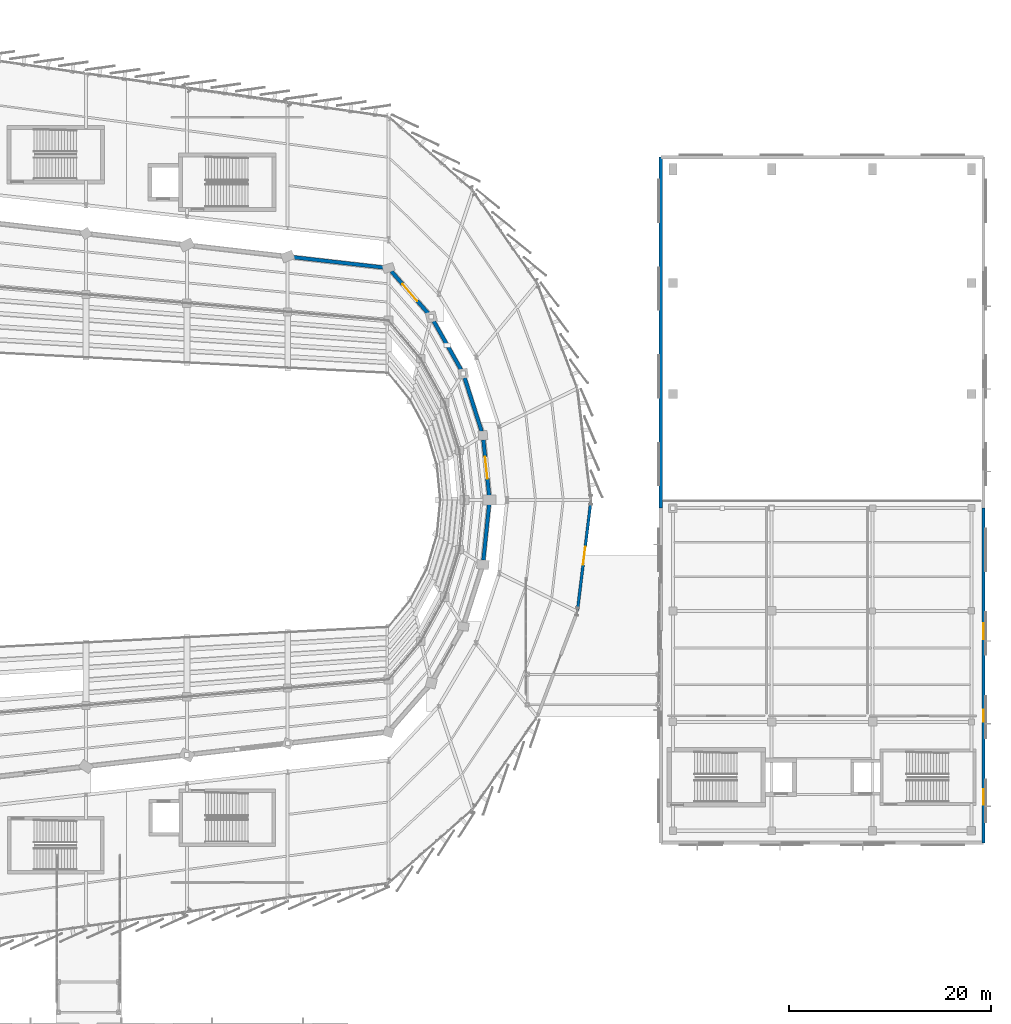
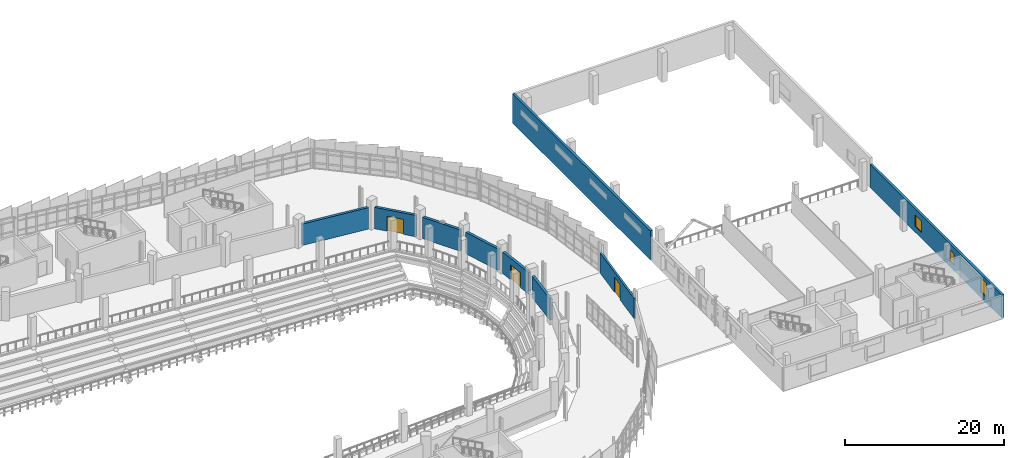
# One storey, part 115 of 134: 9 walls, 3 doors, 3 windows, 6 openings.
"""IFC4 building model written with IfcOpenShell, lengths in metres."""

from ifc_helpers import new_model, si_unit, direction, frame, frame_2d, origin, place, context, subcontext, project, spatial, rectangle, extrude, material, layer, layer_set, type_object, element, fill, save


model = new_model("IFC4")

# Units and contexts
model_context = context("Model", 3, precision=1e-05, world=origin(), true_north=direction((0.0, 1.0)))
body_context = subcontext(model_context, "Body", "Model", "MODEL_VIEW")
ifc_project = project(units=[si_unit("LENGTHUNIT", "METRE"), si_unit("AREAUNIT", "SQUARE_METRE"), si_unit("VOLUMEUNIT", "CUBIC_METRE"), si_unit("PLANEANGLEUNIT", "RADIAN"), si_unit("MASSUNIT", "GRAM", prefix="KILO")], contexts=[model_context])

# Site, building, storey
site_placement = place(None, origin())
site = spatial("IfcSite", under=ifc_project, at=site_placement, CompositionType="ELEMENT")
building_placement = place(site_placement, origin())
building = spatial("IfcBuilding", under=site, at=building_placement, Name="Sohan Crest Arena", CompositionType="ELEMENT")
storey_placement = place(building_placement, frame((0.0, 0.0, 4.5)))
storey = spatial("IfcBuildingStorey", under=building, at=storey_placement, Name="L01", CompositionType="ELEMENT", Elevation=4.5)

# Wall, opening, door
ifc_material_1 = material(Name="Clinker brick and ceramic mosaic envelope wall", Category="masonry")
ifc_layer_1 = layer(ifc_material_1, 0.280029296875, Name="Clinker brick and ceramic mosaic envelope wall")
ifc_layer_set_1 = layer_set([ifc_layer_1], Name="Clinker brick and ceramic mosaic envelope wall")
wall_type_1 = type_object("IfcWallType", Name="WAL-EW02", PredefinedType="SOLIDWALL", material=ifc_layer_set_1)
wall_1_placement = place(storey_placement, frame((186.740966796875, 67.05908203125, 0.0), z_axis=(0.0, 0.0, 1.0), x_axis=(0.121192813133, 0.992628985092, 0.0)))
wall_1 = element("IfcWall", 1, at=wall_1_placement, inside=storey, type_object=wall_type_1, Name="External wall EW-091", PredefinedType="SOLIDWALL", context=body_context, shape_type="SweptSolid", body=[
    extrude(rectangle(XDim=10.892333984375, YDim=0.280029296875, at=frame_2d((5.4462890625, 0.0))), origin(), (0.0, 0.0, 1.0), 3.10009765625),
])
opening_1_placement = place(wall_1_placement, frame((4.5458984375, 0.0, 0.0)))
opening_1 = element("IfcOpeningElement", 2, at=opening_1_placement, cuts=wall_1, Name="Opening BD-L01-23", PredefinedType="OPENING", context=body_context, shape_type="SweptSolid", body=[
    extrude(rectangle(XDim=1.800048828125, YDim=2.35009765625, at=frame_2d((0.89990234375, 1.175048828125))), frame((0.0, 0.14990234375, 0.0), z_axis=(0.0, -1.0, 0.0), x_axis=(1.0, 0.0, 0.0)), (0.0, 0.0, 1.0), 0.300048828125),
])
ifc_material_2 = material(Name="Glazed aluminium terrace access door", Category="aluminium")
door_type_1 = type_object("IfcDoorType", Name="DR-ED01", OperationType="DOUBLE_DOOR_SINGLE_SWING", PredefinedType="DOOR", material=ifc_material_2)
door_1_placement = place(opening_1_placement, frame((1.800048828125, 0.0, 0.0), z_axis=(0.0, 0.0, 1.0), x_axis=(-1.0, 0.0, 0.0)))
door_1 = element("IfcDoor", 3, at=door_1_placement, inside=storey, type_object=door_type_1, Name="Covered bridge passage door BD-L01-23", OperationType="DOUBLE_DOOR_SINGLE_SWING", OverallHeight=2.35009765625, OverallWidth=1.800048828125, PredefinedType="DOOR", context=body_context, shape_type="SweptSolid", body=[
    extrude(rectangle(XDim=1.800048828125, YDim=2.35009765625, at=frame_2d((0.89990234375, 1.175048828125))), frame((0.0, 0.02490234375, 0.0), z_axis=(0.0, -1.0, 0.0), x_axis=(1.0, 0.0, 0.0)), (0.0, 0.0, 1.0), 0.050048828125),
])
fill(opening_1, door_1)

# Wall, openings, windows
ifc_material_3 = material(Name="Honed dark basalt stone cladding wall", Category="masonry")
ifc_layer_2 = layer(ifc_material_3, 0.340087890625, Name="Honed dark basalt stone cladding wall")
ifc_layer_set_2 = layer_set([ifc_layer_2], Name="Honed dark basalt stone cladding wall")
wall_type_2 = type_object("IfcWallType", Name="WAL-EW04", PredefinedType="SOLIDWALL", material=ifc_layer_set_2)
wall_2_placement = place(storey_placement, frame((227.0, 44.0, 0.0), z_axis=(0.0, 0.0, 1.0), x_axis=(0.0, 1.0, 0.0)))
wall_2 = element("IfcWall", 4, at=wall_2_placement, inside=storey, type_object=wall_type_2, Name="External wall EW-109", PredefinedType="SOLIDWALL", context=body_context, shape_type="SweptSolid", body=[
    extrude(rectangle(XDim=33.199951171875, YDim=0.340087890625, at=frame_2d((16.60009765625, 0.0))), origin(), (0.0, 0.0, 1.0), 3.550048828125),
])
opening_2_placement = place(wall_2_placement, frame((3.800048828125, 0.0, 0.85009765625)))
opening_2 = element("IfcOpeningElement", 5, at=opening_2_placement, cuts=wall_2, Name="Opening W-006", PredefinedType="OPENING", context=body_context, shape_type="SweptSolid", body=[
    extrude(rectangle(XDim=1.5, YDim=2.199951171875, at=frame_2d((0.75, 1.10009765625))), frame((0.0, 0.179931640625, 0.0), z_axis=(0.0, -1.0, 0.0), x_axis=(1.0, 0.0, 0.0)), (0.0, 0.0, 1.0), 0.360107421875),
])
opening_3_placement = place(wall_2_placement, frame((12.0, 0.0, 0.85009765625)))
opening_3 = element("IfcOpeningElement", 6, at=opening_3_placement, cuts=wall_2, Name="Opening W-007", PredefinedType="OPENING", context=body_context, shape_type="SweptSolid", body=[
    extrude(rectangle(XDim=1.199951171875, YDim=1.800048828125, at=frame_2d((0.60009765625, 0.89990234375))), frame((0.0, 0.179931640625, 0.0), z_axis=(0.0, -1.0, 0.0), x_axis=(1.0, 0.0, 0.0)), (0.0, 0.0, 1.0), 0.360107421875),
])
opening_4_placement = place(wall_2_placement, frame((20.199951171875, 0.0, 0.85009765625)))
opening_4 = element("IfcOpeningElement", 7, at=opening_4_placement, cuts=wall_2, Name="Opening W-008", PredefinedType="OPENING", context=body_context, shape_type="SweptSolid", body=[
    extrude(rectangle(XDim=1.60009765625, YDim=1.800048828125, at=frame_2d((0.800048828125, 0.89990234375))), frame((0.0, 0.179931640625, 0.0), z_axis=(0.0, -1.0, 0.0), x_axis=(1.0, 0.0, 0.0)), (0.0, 0.0, 1.0), 0.360107421875),
])
ifc_material_4 = material(Name="Low-E double-glazed insulated glass", Category="glass")
window_type_1 = type_object("IfcWindowType", Name="WIN-W06", PartitioningType="SINGLE_PANEL", PredefinedType="WINDOW", material=ifc_material_4)
window_1_placement = place(opening_2_placement, origin())
window_1 = element("IfcWindow", 8, at=window_1_placement, inside=storey, type_object=window_type_1, Name="Community wing window W-006", OverallHeight=2.199951171875, OverallWidth=1.5, PartitioningType="SINGLE_PANEL", PredefinedType="WINDOW", context=body_context, shape_type="SweptSolid", body=[
    extrude(rectangle(XDim=1.5, YDim=2.199951171875, at=frame_2d((0.75, 1.10009765625))), frame((0.0, 0.030029296875, 0.0), z_axis=(0.0, -1.0, 0.0), x_axis=(1.0, 0.0, 0.0)), (0.0, 0.0, 1.0), 0.06005859375),
])
fill(opening_2, window_1)
window_type_2 = type_object("IfcWindowType", Name="WIN-W07", PartitioningType="SINGLE_PANEL", PredefinedType="WINDOW", material=ifc_material_4)
window_2_placement = place(opening_3_placement, origin())
window_2 = element("IfcWindow", 9, at=window_2_placement, inside=storey, type_object=window_type_2, Name="Community wing window W-007", OverallHeight=1.800048828125, OverallWidth=1.199951171875, PartitioningType="SINGLE_PANEL", PredefinedType="WINDOW", context=body_context, shape_type="SweptSolid", body=[
    extrude(rectangle(XDim=1.199951171875, YDim=1.800048828125, at=frame_2d((0.60009765625, 0.89990234375))), frame((0.0, 0.030029296875, 0.0), z_axis=(0.0, -1.0, 0.0), x_axis=(1.0, 0.0, 0.0)), (0.0, 0.0, 1.0), 0.06005859375),
])
fill(opening_3, window_2)
window_type_3 = type_object("IfcWindowType", Name="WIN-W08", PartitioningType="SINGLE_PANEL", PredefinedType="WINDOW", material=ifc_material_4)
window_3_placement = place(opening_4_placement, origin())
window_3 = element("IfcWindow", 10, at=window_3_placement, inside=storey, type_object=window_type_3, Name="Community wing window W-008", OverallHeight=1.800048828125, OverallWidth=1.60009765625, PartitioningType="SINGLE_PANEL", PredefinedType="WINDOW", context=body_context, shape_type="SweptSolid", body=[
    extrude(rectangle(XDim=1.60009765625, YDim=1.800048828125, at=frame_2d((0.800048828125, 0.89990234375))), frame((0.0, 0.030029296875, 0.0), z_axis=(0.0, -1.0, 0.0), x_axis=(1.0, 0.0, 0.0)), (0.0, 0.0, 1.0), 0.06005859375),
])
fill(opening_4, window_3)

# Walls
wall_3_placement = place(storey_placement, frame((195.0, 112.0, 0.0), z_axis=(0.0, 0.0, 1.0), x_axis=(0.0, -1.0, 0.0)))
element("IfcWall", 11, at=wall_3_placement, inside=storey, type_object=wall_type_2, Name="External wall EW-112", PredefinedType="SOLIDWALL", context=body_context, shape_type="SweptSolid", body=[
    extrude(rectangle(XDim=34.800048828125, YDim=0.340087890625, at=frame_2d((17.39990234375, 0.0))), origin(), (0.0, 0.0, 1.0), 4.5),
])
ifc_material_5 = material(Name="Acoustic insulated bowl drum enclosure wall", Category="masonry")
ifc_layer_3 = layer(ifc_material_5, 0.3701171875, Name="Acoustic insulated bowl drum enclosure wall")
ifc_layer_set_3 = layer_set([ifc_layer_3], Name="Acoustic insulated bowl drum enclosure wall")
wall_type_3 = type_object("IfcWallType", Name="WAL-EW05", PredefinedType="SOLIDWALL", material=ifc_layer_set_3)
wall_4_placement = place(storey_placement, frame((177.407958984375, 72.031005859375, 0.0), z_axis=(0.0, 0.0, 1.0), x_axis=(0.102524636366, 0.994730465472, 0.0)))
element("IfcWall", 12, at=wall_4_placement, inside=storey, type_object=wall_type_3, Name="Acoustic bowl drum wall BW-L01-23", PredefinedType="SOLIDWALL", context=body_context, shape_type="SweptSolid", body=[
    extrude(rectangle(XDim=5.560302734375, YDim=0.3701171875, at=frame_2d((2.7802734375, 0.0))), origin(), (0.0, 0.0, 1.0), 3.300048828125),
])

# Wall, opening, door
wall_5_placement = place(storey_placement, frame((177.97802734375, 78.43798828125, 0.0), z_axis=(0.0, 0.0, 1.0), x_axis=(-0.102524636366, 0.994730465472, 0.0)))
wall_5 = element("IfcWall", 13, at=wall_5_placement, inside=storey, type_object=wall_type_3, Name="Acoustic bowl drum wall BW-L01-24", PredefinedType="SOLIDWALL", context=body_context, shape_type="SweptSolid", body=[
    extrude(rectangle(XDim=5.560302734375, YDim=0.3701171875, at=frame_2d((2.7802734375, 0.0))), origin(), (0.0, 0.0, 1.0), 3.300048828125),
])
opening_5_placement = place(wall_5_placement, frame((1.679931640625, 0.0, 0.0)))
opening_5 = element("IfcOpeningElement", 14, at=opening_5_placement, cuts=wall_5, Name="Opening VD-L01-24", PredefinedType="OPENING", context=body_context, shape_type="SweptSolid", body=[
    extrude(rectangle(XDim=2.199951171875, YDim=2.300048828125, at=frame_2d((1.10009765625, 1.14990234375))), frame((0.0, 0.195068359375, 0.0), z_axis=(0.0, -1.0, 0.0), x_axis=(1.0, 0.0, 0.0)), (0.0, 0.0, 1.0), 0.39013671875),
])
ifc_material_6 = material(Name="Fire-rated steel double escape door", Category="steel")
door_type_2 = type_object("IfcDoorType", Name="DR-FD01", OperationType="DOUBLE_DOOR_SINGLE_SWING", PredefinedType="DOOR", material=ifc_material_6)
door_2_placement = place(opening_5_placement, origin())
door_2 = element("IfcDoor", 15, at=door_2_placement, inside=storey, type_object=door_type_2, Name="Bowl vomitory portal fire door VD-L01-24", OperationType="DOUBLE_DOOR_SINGLE_SWING", OverallHeight=2.300048828125, OverallWidth=2.199951171875, PredefinedType="DOOR", context=body_context, shape_type="SweptSolid", body=[
    extrude(rectangle(XDim=2.199951171875, YDim=2.300048828125, at=frame_2d((1.10009765625, 1.14990234375))), frame((0.0, 0.02490234375, 0.0), z_axis=(0.0, -1.0, 0.0), x_axis=(1.0, 0.0, 0.0)), (0.0, 0.0, 1.0), 0.050048828125),
])
fill(opening_5, door_2)

# Walls
wall_6_placement = place(storey_placement, frame((177.22998046875, 84.825927734375, 0.0), z_axis=(0.0, 0.0, 1.0), x_axis=(-0.30346633641, 0.952842160416, 0.0)))
element("IfcWall", 16, at=wall_6_placement, inside=storey, type_object=wall_type_3, Name="Acoustic bowl drum wall BW-L01-25", PredefinedType="SOLIDWALL", context=body_context, shape_type="SweptSolid", body=[
    extrude(rectangle(XDim=5.562255859375, YDim=0.3701171875, at=frame_2d((2.78125, 0.0))), origin(), (0.0, 0.0, 1.0), 3.300048828125),
])
wall_7_placement = place(storey_placement, frame((175.193115234375, 90.927978515625, 0.0), z_axis=(0.0, 0.0, 1.0), x_axis=(-0.491617455844, 0.870811275254, 0.0)))
element("IfcWall", 17, at=wall_7_placement, inside=storey, type_object=wall_type_3, Name="Acoustic bowl drum wall BW-L01-26", PredefinedType="SOLIDWALL", context=body_context, shape_type="SweptSolid", body=[
    extrude(rectangle(XDim=5.5615234375, YDim=0.3701171875, at=frame_2d((2.78076171875, 0.0))), origin(), (0.0, 0.0, 1.0), 3.300048828125),
])

# Wall, opening, door
wall_8_placement = place(storey_placement, frame((171.952880859375, 96.485107421875, 0.0), z_axis=(0.0, 0.0, 1.0), x_axis=(-0.658706624818, 0.752399881991, 0.0)))
wall_8 = element("IfcWall", 18, at=wall_8_placement, inside=storey, type_object=wall_type_3, Name="Acoustic bowl drum wall BW-L01-27", PredefinedType="SOLIDWALL", context=body_context, shape_type="SweptSolid", body=[
    extrude(rectangle(XDim=5.560546875, YDim=0.3701171875, at=frame_2d((2.7802734375, 0.0))), origin(), (0.0, 0.0, 1.0), 3.300048828125),
])
opening_6_placement = place(wall_8_placement, frame((1.679931640625, 0.0, 0.0)))
opening_6 = element("IfcOpeningElement", 19, at=opening_6_placement, cuts=wall_8, Name="Opening VD-L01-27", PredefinedType="OPENING", context=body_context, shape_type="SweptSolid", body=[
    extrude(rectangle(XDim=2.199951171875, YDim=2.300048828125, at=frame_2d((1.10009765625, 1.14990234375))), frame((0.0, 0.195068359375, 0.0), z_axis=(0.0, -1.0, 0.0), x_axis=(1.0, 0.0, 0.0)), (0.0, 0.0, 1.0), 0.39013671875),
])
door_3_placement = place(opening_6_placement, origin())
door_3 = element("IfcDoor", 20, at=door_3_placement, inside=storey, type_object=door_type_2, Name="Bowl vomitory portal fire door VD-L01-27", OperationType="DOUBLE_DOOR_SINGLE_SWING", OverallHeight=2.300048828125, OverallWidth=2.199951171875, PredefinedType="DOOR", context=body_context, shape_type="SweptSolid", body=[
    extrude(rectangle(XDim=2.199951171875, YDim=2.300048828125, at=frame_2d((1.10009765625, 1.14990234375))), frame((0.0, 0.02490234375, 0.0), z_axis=(0.0, -1.0, 0.0), x_axis=(1.0, 0.0, 0.0)), (0.0, 0.0, 1.0), 0.050048828125),
])
fill(opening_6, door_3)

# Wall
wall_9_placement = place(storey_placement, frame((167.56298828125, 101.050048828125, 0.0), z_axis=(0.0, 0.0, 1.0), x_axis=(-0.993532672656, 0.113546591161, 0.0)))
element("IfcWall", 21, at=wall_9_placement, inside=storey, type_object=wall_type_3, Name="Acoustic bowl drum wall BW-L01-28", PredefinedType="SOLIDWALL", context=body_context, shape_type="SweptSolid", body=[
    extrude(rectangle(XDim=9.185302734375, YDim=0.3701171875, at=frame_2d((4.5927734375, 0.0))), origin(), (0.0, 0.0, 1.0), 3.300048828125),
])

save(model, "model.ifc")
